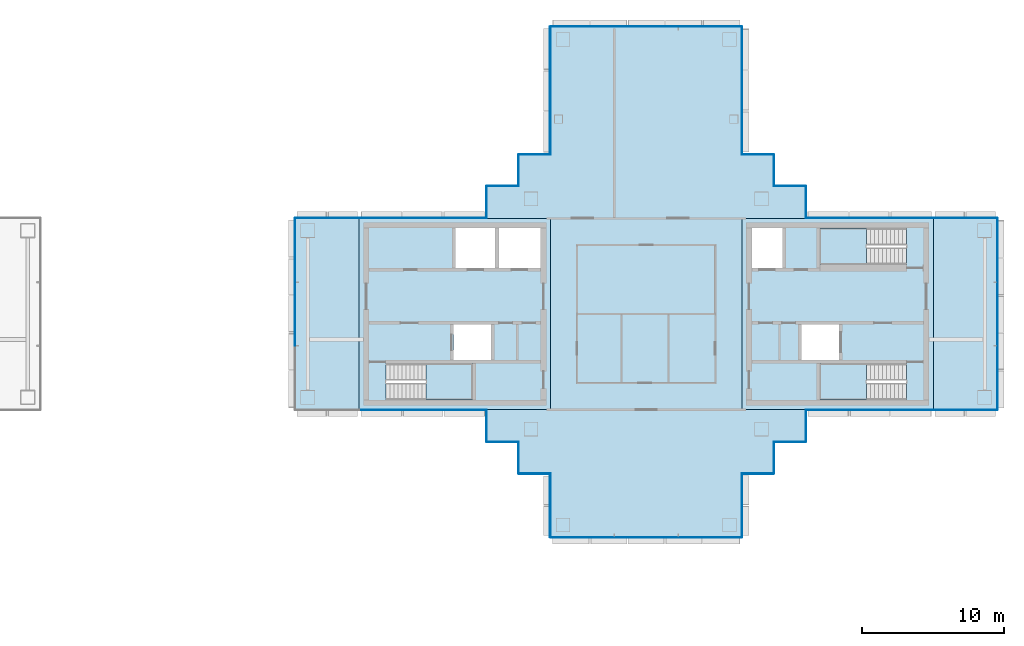
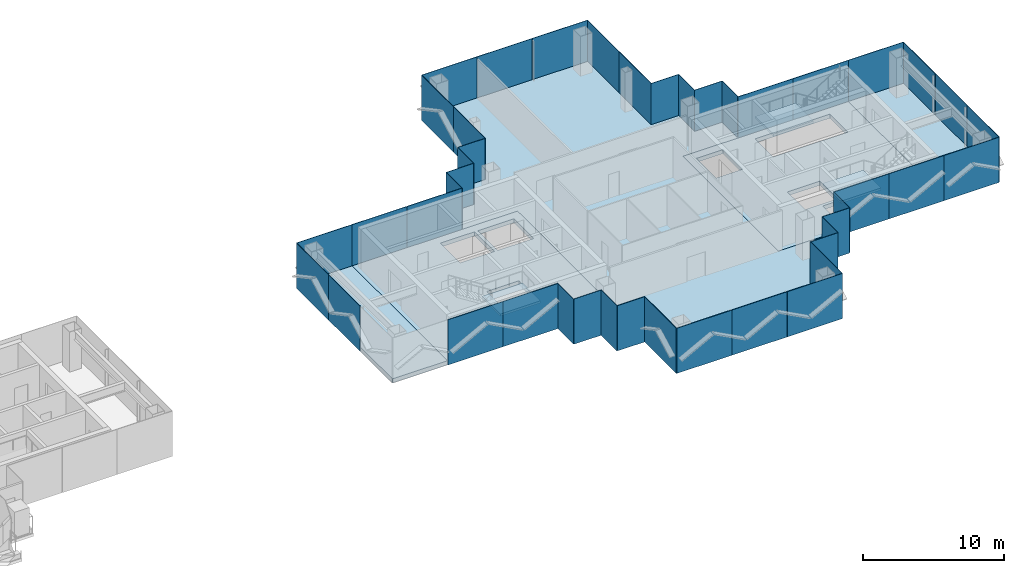
# One storey, part 8 of 17: 44 plates, 8 slabs, 22 elements without a shape of their own.
"""IFC4 building model written with IfcOpenShell, lengths in metres."""

from ifc_helpers import new_model, si_unit, direction, frame, origin, origin_2d, place, context, subcontext, project, spatial, polyline, rectangle, outline, extrude, material, layer, layer_set, type_object, element, aggregate, save


model = new_model("IFC4")

# Units and contexts
model_context = context("Model", 3, precision=1e-05, world=origin(), true_north=direction((0.0, 1.0)))
body_context = subcontext(model_context, "Body", "Model", "MODEL_VIEW")
ifc_project = project(units=[si_unit("LENGTHUNIT", "METRE"), si_unit("AREAUNIT", "SQUARE_METRE"), si_unit("VOLUMEUNIT", "CUBIC_METRE"), si_unit("PLANEANGLEUNIT", "RADIAN"), si_unit("MASSUNIT", "GRAM", prefix="KILO")], contexts=[model_context])

# Site, building, storey
site_placement = place(None, origin())
site = spatial("IfcSite", under=ifc_project, at=site_placement, CompositionType="ELEMENT")
building_placement = place(site_placement, origin())
building = spatial("IfcBuilding", under=site, at=building_placement, Name="Shamsa Quay Exchange Towers", CompositionType="ELEMENT")
storey_placement = place(building_placement, frame((0.0, 0.0, 221.699951171875)))
storey = spatial("IfcBuildingStorey", under=building, at=storey_placement, Name="L53", CompositionType="ELEMENT", Elevation=221.699951171875)

# Slabs
ifc_material_1 = material(Name="Concrete C50/60", Category="concrete")
ifc_layer_1 = layer(ifc_material_1, 0.35009765625)
ifc_layer_set_1 = layer_set([ifc_layer_1], Name="CORE FLOOR 350 C50/60")
slab_type_1 = type_object("IfcSlabType", Name="CORE FLOOR 350 C50/60", PredefinedType="FLOOR", material=ifc_layer_set_1)
slab_1_placement = place(storey_placement, frame((0.0, 0.0, -0.349853515625)))
element("IfcSlab", 1, at=slab_1_placement, inside=storey, type_object=slab_type_1, Name="Core floor T2A", PredefinedType="FLOOR", context=body_context, shape_type="SweptSolid", body=[
    extrude(outline(polyline([(13.5, -6.75), (27.0, -6.75), (27.0, 6.75), (13.5, 6.75), (13.5, -6.75)]), holes=[polyline([(15.400634765625, -6.050048828125), (15.400634765625, -3.5), (21.5, -3.5), (21.5, -6.050048828125), (15.400634765625, -6.050048828125)]), polyline([(20.300048828125, 3.25), (20.300048828125, 6.050048828125), (23.10009765625, 6.050048828125), (23.10009765625, 3.25), (20.300048828125, 3.25)]), polyline([(23.35009765625, 3.25), (23.35009765625, 6.050048828125), (26.300048828125, 6.050048828125), (26.300048828125, 3.25), (23.35009765625, 3.25)]), polyline([(20.14990234375, -3.25), (20.14990234375, -0.75), (22.800048828125, -0.75), (22.800048828125, -3.25), (20.14990234375, -3.25)])]), origin(), (0.0, 0.0, 1.0), 0.349853515625),
])
slab_2_placement = place(storey_placement, frame((0.0, 0.0, -0.349853515625)))
element("IfcSlab", 2, at=slab_2_placement, inside=storey, type_object=slab_type_1, Name="Core floor T2B", PredefinedType="FLOOR", context=body_context, shape_type="SweptSolid", body=[
    extrude(outline(polyline([(54.0, -6.75), (54.0, 6.75), (40.5, 6.75), (40.5, -6.75), (54.0, -6.75)]), holes=[polyline([(52.099365234375, -3.5), (52.099365234375, -6.050048828125), (46.0, -6.050048828125), (46.0, -3.5), (52.099365234375, -3.5)]), polyline([(52.099365234375, 6.050048828125), (52.099365234375, 3.5), (46.0, 3.5), (46.0, 6.050048828125), (52.099365234375, 6.050048828125)]), polyline([(43.35009765625, 3.25), (41.199951171875, 3.25), (41.199951171875, 6.050048828125), (43.35009765625, 6.050048828125), (43.35009765625, 3.25)]), polyline([(47.35009765625, -3.25), (44.699951171875, -3.25), (44.699951171875, -0.75), (47.35009765625, -0.75), (47.35009765625, -3.25)])]), origin(), (0.0, 0.0, 1.0), 0.349853515625),
])

# Stair, slab
ifc_material_2 = material(Name="Concrete C40/50", Category="concrete")
stair_type = type_object("IfcStairType", Name="EXIT STAIR 22 RISERS 177 MM", PredefinedType="HALF_TURN_STAIR", material=ifc_material_2)
stair_1_placement = place(storey_placement, origin())
stair_1 = element("IfcStair", 3, at=stair_1_placement, inside=storey, type_object=stair_type, Name="L53 Exit stair ST4", PredefinedType="HALF_TURN_STAIR")
ifc_layer_2 = layer(ifc_material_2, 0.199951171875)
ifc_layer_set_2 = layer_set([ifc_layer_2], Name="CORE STAIR LANDING")
slab_type_2 = type_object("IfcSlabType", Name="CORE STAIR LANDING", PredefinedType="LANDING", material=ifc_layer_set_2)
slab_3_placement = place(storey_placement, frame((0.0, 0.0, 1.75)))
slab_3 = element("IfcSlab", 4, at=slab_3_placement, type_object=slab_type_2, Name="ST4 landing 1", PredefinedType="LANDING", context=body_context, shape_type="SweptSolid", body=[
    extrude(outline(polyline([(18.199951171875, -6.050048828125), (21.5, -6.050048828125), (21.5, -3.5), (18.199951171875, -3.5), (18.199951171875, -6.050048828125)])), origin(), (0.0, 0.0, 1.0), 0.199951171875),
])
aggregate(stair_1, [slab_3])

stair_2_placement = place(storey_placement, origin())
stair_2 = element("IfcStair", 5, at=stair_2_placement, inside=storey, type_object=stair_type, Name="L53 Exit stair ST5", PredefinedType="HALF_TURN_STAIR")
slab_4_placement = place(storey_placement, frame((0.0, 0.0, 1.75)))
slab_4 = element("IfcSlab", 6, at=slab_4_placement, type_object=slab_type_2, Name="ST5 landing 1", PredefinedType="LANDING", context=body_context, shape_type="SweptSolid", body=[
    extrude(outline(polyline([(49.300048828125, -3.5), (46.0, -3.5), (46.0, -6.050048828125), (49.300048828125, -6.050048828125), (49.300048828125, -3.5)])), origin(), (0.0, 0.0, 1.0), 0.199951171875),
])
aggregate(stair_2, [slab_4])

stair_3_placement = place(storey_placement, origin())
stair_3 = element("IfcStair", 7, at=stair_3_placement, inside=storey, type_object=stair_type, Name="L53 Exit stair ST6", PredefinedType="HALF_TURN_STAIR")
slab_5_placement = place(storey_placement, frame((0.0, 0.0, 1.75)))
slab_5 = element("IfcSlab", 8, at=slab_5_placement, type_object=slab_type_2, Name="ST6 landing 1", PredefinedType="LANDING", context=body_context, shape_type="SweptSolid", body=[
    extrude(outline(polyline([(49.300048828125, 6.050048828125), (46.0, 6.050048828125), (46.0, 3.5), (49.300048828125, 3.5), (49.300048828125, 6.050048828125)])), origin(), (0.0, 0.0, 1.0), 0.199951171875),
])
aggregate(stair_3, [slab_5])

# Curtain wall, plate
ifc_material_3 = material(Name="Aluminium EN AW-6063 T6, black anodised", Category="aluminium")
ifc_layer_3 = layer(ifc_material_3, 0.280029296875)
ifc_layer_set_3 = layer_set([ifc_layer_3], Name="CW-1 UNITISED VISION GLASS")
curtain_wall_type_1 = type_object("IfcCurtainWallType", Name="CW-1 UNITISED VISION GLASS", PredefinedType="NOTDEFINED", material=ifc_layer_set_3)
curtain_wall_1_placement = place(storey_placement, origin())
curtain_wall_1 = element("IfcCurtainWall", 9, at=curtain_wall_1_placement, inside=storey, type_object=curtain_wall_type_1, Name="CW1 T2-FLK-V-W L53", PredefinedType="NOTDEFINED")
ifc_material_4 = material(Name="Glass, laminated, dark tinted", Category="glass")
ifc_layer_4 = layer(ifc_material_4, 0.0400390625)
ifc_layer_set_4 = layer_set([ifc_layer_4], Name="CW-1 VISION GLASS 40")
plate_type_1 = type_object("IfcPlateType", Name="CW-1 VISION GLASS 40", PredefinedType="CURTAIN_PANEL", material=ifc_layer_set_4)
plate_1_placement = place(storey_placement, frame((56.25, -6.77001953125, -0.349853515625)))
plate_1 = element("IfcPlate", 10, at=plate_1_placement, type_object=plate_type_1, Name="CW1 glass panel", PredefinedType="CURTAIN_PANEL", context=body_context, shape_type="SweptSolid", body=[
    extrude(rectangle(XDim=4.5, YDim=0.0400390625, at=origin_2d()), origin(), (0.0, 0.0, 1.0), 3.89990234375),
])
aggregate(curtain_wall_1, [plate_1])

# Curtain wall, plates
curtain_wall_2_placement = place(storey_placement, origin())
curtain_wall_2 = element("IfcCurtainWall", 11, at=curtain_wall_2_placement, inside=storey, type_object=curtain_wall_type_1, Name="CW1 T2-END-V- L53", PredefinedType="NOTDEFINED")
plate_2_placement = place(storey_placement, frame((58.52001953125, -4.50244140625, -0.349853515625), z_axis=(0.0, 0.0, 1.0), x_axis=(0.0, 1.0, 0.0)))
plate_2 = element("IfcPlate", 12, at=plate_2_placement, type_object=plate_type_1, Name="CW1 glass panel", PredefinedType="CURTAIN_PANEL", context=body_context, shape_type="SweptSolid", body=[
    extrude(rectangle(XDim=4.4951171875, YDim=0.0400390625, at=origin_2d()), origin(), (0.0, 0.0, 1.0), 3.89990234375),
])
plate_3_placement = place(storey_placement, frame((58.52001953125, 0.0, -0.349853515625), z_axis=(0.0, 0.0, 1.0), x_axis=(0.0, 1.0, 0.0)))
plate_3 = element("IfcPlate", 13, at=plate_3_placement, type_object=plate_type_1, Name="CW1 glass panel", PredefinedType="CURTAIN_PANEL", context=body_context, shape_type="SweptSolid", body=[
    extrude(rectangle(XDim=4.489990234375, YDim=0.0400390625, at=origin_2d()), origin(), (0.0, 0.0, 1.0), 3.89990234375),
])
plate_4_placement = place(storey_placement, frame((58.52001953125, 4.50244140625, -0.349853515625), z_axis=(0.0, 0.0, 1.0), x_axis=(0.0, 1.0, 0.0)))
plate_4 = element("IfcPlate", 14, at=plate_4_placement, type_object=plate_type_1, Name="CW1 glass panel", PredefinedType="CURTAIN_PANEL", context=body_context, shape_type="SweptSolid", body=[
    extrude(rectangle(XDim=4.4951171875, YDim=0.0400390625, at=origin_2d()), origin(), (0.0, 0.0, 1.0), 3.89990234375),
])
aggregate(curtain_wall_2, [plate_2, plate_3, plate_4])

# Curtain wall, plate
curtain_wall_3_placement = place(storey_placement, origin())
curtain_wall_3 = element("IfcCurtainWall", 15, at=curtain_wall_3_placement, inside=storey, type_object=curtain_wall_type_1, Name="CW1 T2-FLK-V-E L53", PredefinedType="NOTDEFINED")
plate_5_placement = place(storey_placement, frame((56.25, 6.77001953125, -0.349853515625), z_axis=(0.0, 0.0, 1.0), x_axis=(-1.0, 0.0, 0.0)))
plate_5 = element("IfcPlate", 16, at=plate_5_placement, type_object=plate_type_1, Name="CW1 glass panel", PredefinedType="CURTAIN_PANEL", context=body_context, shape_type="SweptSolid", body=[
    extrude(rectangle(XDim=4.5, YDim=0.0400390625, at=origin_2d()), origin(), (0.0, 0.0, 1.0), 3.89990234375),
])
aggregate(curtain_wall_3, [plate_5])

# Curtain wall, plates
curtain_wall_4_placement = place(storey_placement, origin())
curtain_wall_4 = element("IfcCurtainWall", 17, at=curtain_wall_4_placement, inside=storey, type_object=curtain_wall_type_1, Name="CW1 T2-FLK-U+S L53", PredefinedType="NOTDEFINED")
plate_6_placement = place(storey_placement, frame((40.52001953125, 13.52587890625, -0.349853515625), z_axis=(0.0, 0.0, 1.0), x_axis=(0.0, 1.0, 0.0)))
plate_6 = element("IfcPlate", 18, at=plate_6_placement, type_object=plate_type_1, Name="CW1 glass panel", PredefinedType="CURTAIN_PANEL", context=body_context, shape_type="SweptSolid", body=[
    extrude(rectangle(XDim=4.47607421875, YDim=0.0400390625, at=origin_2d()), origin(), (0.0, 0.0, 1.0), 3.89990234375),
])
plate_7_placement = place(storey_placement, frame((40.52001953125, 18.011962890625, -0.349853515625), z_axis=(0.0, 0.0, 1.0), x_axis=(0.0, 1.0, 0.0)))
plate_7 = element("IfcPlate", 19, at=plate_7_placement, type_object=plate_type_1, Name="CW1 glass panel", PredefinedType="CURTAIN_PANEL", context=body_context, shape_type="SweptSolid", body=[
    extrude(rectangle(XDim=4.47607421875, YDim=0.0400390625, at=origin_2d()), origin(), (0.0, 0.0, 1.0), 3.89990234375),
])
aggregate(curtain_wall_4, [plate_6, plate_7])

curtain_wall_5_placement = place(storey_placement, origin())
curtain_wall_5 = element("IfcCurtainWall", 20, at=curtain_wall_5_placement, inside=storey, type_object=curtain_wall_type_1, Name="CW1 T2-END-U+ L53", PredefinedType="NOTDEFINED")
plate_8_placement = place(storey_placement, frame((38.25244140625, 20.27001953125, -0.349853515625), z_axis=(0.0, 0.0, 1.0), x_axis=(-1.0, 0.0, 0.0)))
plate_8 = element("IfcPlate", 21, at=plate_8_placement, type_object=plate_type_1, Name="CW1 glass panel", PredefinedType="CURTAIN_PANEL", context=body_context, shape_type="SweptSolid", body=[
    extrude(rectangle(XDim=4.4951171875, YDim=0.0400390625, at=origin_2d()), origin(), (0.0, 0.0, 1.0), 3.89990234375),
])
plate_9_placement = place(storey_placement, frame((33.75, 20.27001953125, -0.349853515625), z_axis=(0.0, 0.0, 1.0), x_axis=(-1.0, 0.0, 0.0)))
plate_9 = element("IfcPlate", 22, at=plate_9_placement, type_object=plate_type_1, Name="CW1 glass panel", PredefinedType="CURTAIN_PANEL", context=body_context, shape_type="SweptSolid", body=[
    extrude(rectangle(XDim=4.489990234375, YDim=0.0400390625, at=origin_2d()), origin(), (0.0, 0.0, 1.0), 3.89990234375),
])
plate_10_placement = place(storey_placement, frame((29.24755859375, 20.27001953125, -0.349853515625), z_axis=(0.0, 0.0, 1.0), x_axis=(-1.0, 0.0, 0.0)))
plate_10 = element("IfcPlate", 23, at=plate_10_placement, type_object=plate_type_1, Name="CW1 glass panel", PredefinedType="CURTAIN_PANEL", context=body_context, shape_type="SweptSolid", body=[
    extrude(rectangle(XDim=4.4951171875, YDim=0.0400390625, at=origin_2d()), origin(), (0.0, 0.0, 1.0), 3.89990234375),
])
aggregate(curtain_wall_5, [plate_8, plate_9, plate_10])

curtain_wall_6_placement = place(storey_placement, origin())
curtain_wall_6 = element("IfcCurtainWall", 24, at=curtain_wall_6_placement, inside=storey, type_object=curtain_wall_type_1, Name="CW1 T2-FLK-U+N L53", PredefinedType="NOTDEFINED")
plate_11_placement = place(storey_placement, frame((26.97998046875, 18.00244140625, -0.349853515625), z_axis=(0.0, 0.0, 1.0), x_axis=(0.0, -1.0, 0.0)))
plate_11 = element("IfcPlate", 25, at=plate_11_placement, type_object=plate_type_1, Name="CW1 glass panel", PredefinedType="CURTAIN_PANEL", context=body_context, shape_type="SweptSolid", body=[
    extrude(rectangle(XDim=4.4951171875, YDim=0.0400390625, at=origin_2d()), origin(), (0.0, 0.0, 1.0), 3.89990234375),
])
plate_12_placement = place(storey_placement, frame((26.97998046875, 13.49755859375, -0.349853515625), z_axis=(0.0, 0.0, 1.0), x_axis=(0.0, -1.0, 0.0)))
plate_12 = element("IfcPlate", 26, at=plate_12_placement, type_object=plate_type_1, Name="CW1 glass panel", PredefinedType="CURTAIN_PANEL", context=body_context, shape_type="SweptSolid", body=[
    extrude(rectangle(XDim=4.4951171875, YDim=0.0400390625, at=origin_2d()), origin(), (0.0, 0.0, 1.0), 3.89990234375),
])
aggregate(curtain_wall_6, [plate_11, plate_12])

# Curtain wall, plate
curtain_wall_7_placement = place(storey_placement, origin())
curtain_wall_7 = element("IfcCurtainWall", 27, at=curtain_wall_7_placement, inside=storey, type_object=curtain_wall_type_1, Name="CW1 T2-FLK-V+E L53", PredefinedType="NOTDEFINED")
plate_13_placement = place(storey_placement, frame((11.25, 6.77001953125, -0.349853515625), z_axis=(0.0, 0.0, 1.0), x_axis=(-1.0, 0.0, 0.0)))
plate_13 = element("IfcPlate", 28, at=plate_13_placement, type_object=plate_type_1, Name="CW1 glass panel", PredefinedType="CURTAIN_PANEL", context=body_context, shape_type="SweptSolid", body=[
    extrude(rectangle(XDim=4.5, YDim=0.0400390625, at=origin_2d()), origin(), (0.0, 0.0, 1.0), 3.89990234375),
])
aggregate(curtain_wall_7, [plate_13])

# Curtain wall, plates
curtain_wall_8_placement = place(storey_placement, origin())
curtain_wall_8 = element("IfcCurtainWall", 29, at=curtain_wall_8_placement, inside=storey, type_object=curtain_wall_type_1, Name="CW1 T2-END-V+ L53", PredefinedType="NOTDEFINED")
plate_14_placement = place(storey_placement, frame((8.97998046875, 4.50244140625, -0.349853515625), z_axis=(0.0, 0.0, 1.0), x_axis=(0.0, -1.0, 0.0)))
plate_14 = element("IfcPlate", 30, at=plate_14_placement, type_object=plate_type_1, Name="CW1 glass panel", PredefinedType="CURTAIN_PANEL", context=body_context, shape_type="SweptSolid", body=[
    extrude(rectangle(XDim=4.4951171875, YDim=0.0400390625, at=origin_2d()), origin(), (0.0, 0.0, 1.0), 3.89990234375),
])
plate_15_placement = place(storey_placement, frame((8.97998046875, 0.0, -0.349853515625), z_axis=(0.0, 0.0, 1.0), x_axis=(0.0, -1.0, 0.0)))
plate_15 = element("IfcPlate", 31, at=plate_15_placement, type_object=plate_type_1, Name="CW1 glass panel", PredefinedType="CURTAIN_PANEL", context=body_context, shape_type="SweptSolid", body=[
    extrude(rectangle(XDim=4.489990234375, YDim=0.0400390625, at=origin_2d()), origin(), (0.0, 0.0, 1.0), 3.89990234375),
])
aggregate(curtain_wall_8, [plate_14, plate_15])

# Curtain wall, plate
curtain_wall_9_placement = place(storey_placement, origin())
curtain_wall_9 = element("IfcCurtainWall", 32, at=curtain_wall_9_placement, inside=storey, type_object=curtain_wall_type_1, Name="CW1 T2-FLK-U-N L53", PredefinedType="NOTDEFINED")
plate_16_placement = place(storey_placement, frame((26.97998046875, -13.51904296875, -0.349853515625), z_axis=(0.0, 0.0, 1.0), x_axis=(0.0, -1.0, 0.0)))
plate_16 = element("IfcPlate", 33, at=plate_16_placement, type_object=plate_type_1, Name="CW1 glass panel", PredefinedType="CURTAIN_PANEL", context=body_context, shape_type="SweptSolid", body=[
    extrude(rectangle(XDim=4.4619140625, YDim=0.0400390625, at=origin_2d()), origin(), (0.0, 0.0, 1.0), 3.89990234375),
])
aggregate(curtain_wall_9, [plate_16])

# Curtain wall, plates
curtain_wall_10_placement = place(storey_placement, origin())
curtain_wall_10 = element("IfcCurtainWall", 34, at=curtain_wall_10_placement, inside=storey, type_object=curtain_wall_type_1, Name="CW1 T2-END-U- L53", PredefinedType="NOTDEFINED")
plate_17_placement = place(storey_placement, frame((29.24755859375, -15.77001953125, -0.349853515625)))
plate_17 = element("IfcPlate", 35, at=plate_17_placement, type_object=plate_type_1, Name="CW1 glass panel", PredefinedType="CURTAIN_PANEL", context=body_context, shape_type="SweptSolid", body=[
    extrude(rectangle(XDim=4.4951171875, YDim=0.0400390625, at=origin_2d()), origin(), (0.0, 0.0, 1.0), 3.89990234375),
])
plate_18_placement = place(storey_placement, frame((33.75, -15.77001953125, -0.349853515625)))
plate_18 = element("IfcPlate", 36, at=plate_18_placement, type_object=plate_type_1, Name="CW1 glass panel", PredefinedType="CURTAIN_PANEL", context=body_context, shape_type="SweptSolid", body=[
    extrude(rectangle(XDim=4.489990234375, YDim=0.0400390625, at=origin_2d()), origin(), (0.0, 0.0, 1.0), 3.89990234375),
])
plate_19_placement = place(storey_placement, frame((38.25244140625, -15.77001953125, -0.349853515625)))
plate_19 = element("IfcPlate", 37, at=plate_19_placement, type_object=plate_type_1, Name="CW1 glass panel", PredefinedType="CURTAIN_PANEL", context=body_context, shape_type="SweptSolid", body=[
    extrude(rectangle(XDim=4.4951171875, YDim=0.0400390625, at=origin_2d()), origin(), (0.0, 0.0, 1.0), 3.89990234375),
])
aggregate(curtain_wall_10, [plate_17, plate_18, plate_19])

# Curtain wall, plate
curtain_wall_11_placement = place(storey_placement, origin())
curtain_wall_11 = element("IfcCurtainWall", 38, at=curtain_wall_11_placement, inside=storey, type_object=curtain_wall_type_1, Name="CW1 T2-FLK-U-S L53", PredefinedType="NOTDEFINED")
plate_20_placement = place(storey_placement, frame((40.52001953125, -13.5, -0.349853515625), z_axis=(0.0, 0.0, 1.0), x_axis=(0.0, 1.0, 0.0)))
plate_20 = element("IfcPlate", 39, at=plate_20_placement, type_object=plate_type_1, Name="CW1 glass panel", PredefinedType="CURTAIN_PANEL", context=body_context, shape_type="SweptSolid", body=[
    extrude(rectangle(XDim=4.5, YDim=0.0400390625, at=origin_2d()), origin(), (0.0, 0.0, 1.0), 3.89990234375),
])
aggregate(curtain_wall_11, [plate_20])

# Curtain wall, plates
ifc_layer_5 = layer(ifc_material_3, 0.303955078125)
ifc_layer_set_5 = layer_set([ifc_layer_5], Name="CW-2 UNITISED OPAQUE SPANDREL GLASS")
curtain_wall_type_2 = type_object("IfcCurtainWallType", Name="CW-2 UNITISED OPAQUE SPANDREL GLASS", PredefinedType="NOTDEFINED", material=ifc_layer_set_5)
curtain_wall_12_placement = place(storey_placement, origin())
curtain_wall_12 = element("IfcCurtainWall", 40, at=curtain_wall_12_placement, inside=storey, type_object=curtain_wall_type_2, Name="CW2 T2-FLK-V-W L53", PredefinedType="NOTDEFINED")
ifc_material_5 = material(Name="Glass, laminated, black enamelled opaque", Category="glass")
ifc_layer_6 = layer(ifc_material_5, 0.0439453125)
ifc_layer_set_6 = layer_set([ifc_layer_6], Name="CW-2 SPANDREL GLASS 44")
plate_type_2 = type_object("IfcPlateType", Name="CW-2 SPANDREL GLASS 44", PredefinedType="CURTAIN_PANEL", material=ifc_layer_set_6)
plate_21_placement = place(storey_placement, frame((47.27587890625, -6.77197265625, -0.349853515625)))
plate_21 = element("IfcPlate", 41, at=plate_21_placement, type_object=plate_type_2, Name="CW2 glass panel", PredefinedType="CURTAIN_PANEL", context=body_context, shape_type="SweptSolid", body=[
    extrude(rectangle(XDim=4.47607421875, YDim=0.0439453125, at=origin_2d()), origin(), (0.0, 0.0, 1.0), 3.89990234375),
])
plate_22_placement = place(storey_placement, frame((51.761962890625, -6.77197265625, -0.349853515625)))
plate_22 = element("IfcPlate", 42, at=plate_22_placement, type_object=plate_type_2, Name="CW2 glass panel", PredefinedType="CURTAIN_PANEL", context=body_context, shape_type="SweptSolid", body=[
    extrude(rectangle(XDim=4.47607421875, YDim=0.0439453125, at=origin_2d()), origin(), (0.0, 0.0, 1.0), 3.89990234375),
])
aggregate(curtain_wall_12, [plate_21, plate_22])

curtain_wall_13_placement = place(storey_placement, origin())
curtain_wall_13 = element("IfcCurtainWall", 43, at=curtain_wall_13_placement, inside=storey, type_object=curtain_wall_type_2, Name="CW2 T2-FLK-V-E L53", PredefinedType="NOTDEFINED")
plate_23_placement = place(storey_placement, frame((51.75244140625, 6.77197265625, -0.349853515625), z_axis=(0.0, 0.0, 1.0), x_axis=(-1.0, 0.0, 0.0)))
plate_23 = element("IfcPlate", 44, at=plate_23_placement, type_object=plate_type_2, Name="CW2 glass panel", PredefinedType="CURTAIN_PANEL", context=body_context, shape_type="SweptSolid", body=[
    extrude(rectangle(XDim=4.4951171875, YDim=0.0439453125, at=origin_2d()), origin(), (0.0, 0.0, 1.0), 3.89990234375),
])
plate_24_placement = place(storey_placement, frame((47.24755859375, 6.77197265625, -0.349853515625), z_axis=(0.0, 0.0, 1.0), x_axis=(-1.0, 0.0, 0.0)))
plate_24 = element("IfcPlate", 45, at=plate_24_placement, type_object=plate_type_2, Name="CW2 glass panel", PredefinedType="CURTAIN_PANEL", context=body_context, shape_type="SweptSolid", body=[
    extrude(rectangle(XDim=4.4951171875, YDim=0.0439453125, at=origin_2d()), origin(), (0.0, 0.0, 1.0), 3.89990234375),
])
aggregate(curtain_wall_13, [plate_23, plate_24])

curtain_wall_14_placement = place(storey_placement, origin())
curtain_wall_14 = element("IfcCurtainWall", 46, at=curtain_wall_14_placement, inside=storey, type_object=curtain_wall_type_2, Name="CW2 T2-FLK-V+E L53", PredefinedType="NOTDEFINED")
plate_25_placement = place(storey_placement, frame((20.22412109375, 6.77197265625, -0.349853515625), z_axis=(0.0, 0.0, 1.0), x_axis=(-1.0, 0.0, 0.0)))
plate_25 = element("IfcPlate", 47, at=plate_25_placement, type_object=plate_type_2, Name="CW2 glass panel", PredefinedType="CURTAIN_PANEL", context=body_context, shape_type="SweptSolid", body=[
    extrude(rectangle(XDim=4.47607421875, YDim=0.0439453125, at=origin_2d()), origin(), (0.0, 0.0, 1.0), 3.89990234375),
])
plate_26_placement = place(storey_placement, frame((15.738037109375, 6.77197265625, -0.349853515625), z_axis=(0.0, 0.0, 1.0), x_axis=(-1.0, 0.0, 0.0)))
plate_26 = element("IfcPlate", 48, at=plate_26_placement, type_object=plate_type_2, Name="CW2 glass panel", PredefinedType="CURTAIN_PANEL", context=body_context, shape_type="SweptSolid", body=[
    extrude(rectangle(XDim=4.47607421875, YDim=0.0439453125, at=origin_2d()), origin(), (0.0, 0.0, 1.0), 3.89990234375),
])
aggregate(curtain_wall_14, [plate_25, plate_26])

curtain_wall_15_placement = place(storey_placement, origin())
curtain_wall_15 = element("IfcCurtainWall", 49, at=curtain_wall_15_placement, inside=storey, type_object=curtain_wall_type_2, Name="CW2 T2-FLK-V+W L53", PredefinedType="NOTDEFINED")
plate_27_placement = place(storey_placement, frame((15.74755859375, -6.77197265625, -0.349853515625)))
plate_27 = element("IfcPlate", 50, at=plate_27_placement, type_object=plate_type_2, Name="CW2 glass panel", PredefinedType="CURTAIN_PANEL", context=body_context, shape_type="SweptSolid", body=[
    extrude(rectangle(XDim=4.4951171875, YDim=0.0439453125, at=origin_2d()), origin(), (0.0, 0.0, 1.0), 3.89990234375),
])
plate_28_placement = place(storey_placement, frame((20.25244140625, -6.77197265625, -0.349853515625)))
plate_28 = element("IfcPlate", 51, at=plate_28_placement, type_object=plate_type_2, Name="CW2 glass panel", PredefinedType="CURTAIN_PANEL", context=body_context, shape_type="SweptSolid", body=[
    extrude(rectangle(XDim=4.4951171875, YDim=0.0439453125, at=origin_2d()), origin(), (0.0, 0.0, 1.0), 3.89990234375),
])
aggregate(curtain_wall_15, [plate_27, plate_28])

ifc_layer_7 = layer(ifc_material_3, 0.256103515625)
ifc_layer_set_7 = layer_set([ifc_layer_7], Name="CW-4 POCKET SERRATED GLAZING")
curtain_wall_type_3 = type_object("IfcCurtainWallType", Name="CW-4 POCKET SERRATED GLAZING", PredefinedType="NOTDEFINED", material=ifc_layer_set_7)
curtain_wall_16_placement = place(storey_placement, origin())
curtain_wall_16 = element("IfcCurtainWall", 52, at=curtain_wall_16_placement, inside=storey, type_object=curtain_wall_type_3, Name="CW4 PKWS L53", PredefinedType="NOTDEFINED")
ifc_layer_8 = layer(ifc_material_4, 0.035888671875)
ifc_layer_set_8 = layer_set([ifc_layer_8], Name="CW-4 POCKET GLASS 36")
plate_type_3 = type_object("IfcPlateType", Name="CW-4 POCKET GLASS 36", PredefinedType="CURTAIN_PANEL", material=ifc_layer_set_8)
plate_29_placement = place(storey_placement, frame((43.89404296875, -9.01806640625, -0.349853515625)))
plate_29 = element("IfcPlate", 53, at=plate_29_placement, type_object=plate_type_3, Name="CW4 glass panel", PredefinedType="CURTAIN_PANEL", context=body_context, shape_type="SweptSolid", body=[
    extrude(rectangle(XDim=2.2119140625, YDim=0.035888671875, at=origin_2d()), origin(), (0.0, 0.0, 1.0), 3.89990234375),
])
plate_30_placement = place(storey_placement, frame((45.01806640625, -7.875, -0.349853515625), z_axis=(0.0, 0.0, 1.0), x_axis=(0.0, 1.0, 0.0)))
plate_30 = element("IfcPlate", 54, at=plate_30_placement, type_object=plate_type_3, Name="CW4 glass panel", PredefinedType="CURTAIN_PANEL", context=body_context, shape_type="SweptSolid", body=[
    extrude(rectangle(XDim=2.25, YDim=0.035888671875, at=origin_2d()), origin(), (0.0, 0.0, 1.0), 3.89990234375),
])
plate_31_placement = place(storey_placement, frame((41.64599609375, -11.26806640625, -0.349853515625)))
plate_31 = element("IfcPlate", 55, at=plate_31_placement, type_object=plate_type_3, Name="CW4 glass panel", PredefinedType="CURTAIN_PANEL", context=body_context, shape_type="SweptSolid", body=[
    extrude(rectangle(XDim=2.2080078125, YDim=0.035888671875, at=origin_2d()), origin(), (0.0, 0.0, 1.0), 3.89990234375),
])
plate_32_placement = place(storey_placement, frame((42.76806640625, -10.125, -0.349853515625), z_axis=(0.0, 0.0, 1.0), x_axis=(0.0, 1.0, 0.0)))
plate_32 = element("IfcPlate", 56, at=plate_32_placement, type_object=plate_type_3, Name="CW4 glass panel", PredefinedType="CURTAIN_PANEL", context=body_context, shape_type="SweptSolid", body=[
    extrude(rectangle(XDim=2.25, YDim=0.035888671875, at=origin_2d()), origin(), (0.0, 0.0, 1.0), 3.89990234375),
])
aggregate(curtain_wall_16, [plate_29, plate_30, plate_31, plate_32])

curtain_wall_17_placement = place(storey_placement, origin())
curtain_wall_17 = element("IfcCurtainWall", 57, at=curtain_wall_17_placement, inside=storey, type_object=curtain_wall_type_3, Name="CW4 PKES L53", PredefinedType="NOTDEFINED")
plate_33_placement = place(storey_placement, frame((45.01806640625, 7.89794921875, -0.349853515625), z_axis=(0.0, 0.0, 1.0), x_axis=(0.0, 1.0, 0.0)))
plate_33 = element("IfcPlate", 58, at=plate_33_placement, type_object=plate_type_3, Name="CW4 glass panel", PredefinedType="CURTAIN_PANEL", context=body_context, shape_type="SweptSolid", body=[
    extrude(rectangle(XDim=2.2041015625, YDim=0.035888671875, at=origin_2d()), origin(), (0.0, 0.0, 1.0), 3.89990234375),
])
plate_34_placement = place(storey_placement, frame((43.875, 9.01806640625, -0.349853515625), z_axis=(0.0, 0.0, 1.0), x_axis=(-1.0, 0.0, 0.0)))
plate_34 = element("IfcPlate", 59, at=plate_34_placement, type_object=plate_type_3, Name="CW4 glass panel", PredefinedType="CURTAIN_PANEL", context=body_context, shape_type="SweptSolid", body=[
    extrude(rectangle(XDim=2.25, YDim=0.035888671875, at=origin_2d()), origin(), (0.0, 0.0, 1.0), 3.89990234375),
])
plate_35_placement = place(storey_placement, frame((42.76806640625, 10.14404296875, -0.349853515625), z_axis=(0.0, 0.0, 1.0), x_axis=(0.0, 1.0, 0.0)))
plate_35 = element("IfcPlate", 60, at=plate_35_placement, type_object=plate_type_3, Name="CW4 glass panel", PredefinedType="CURTAIN_PANEL", context=body_context, shape_type="SweptSolid", body=[
    extrude(rectangle(XDim=2.2119140625, YDim=0.035888671875, at=origin_2d()), origin(), (0.0, 0.0, 1.0), 3.89990234375),
])
plate_36_placement = place(storey_placement, frame((41.625, 11.26806640625, -0.349853515625), z_axis=(0.0, 0.0, 1.0), x_axis=(-1.0, 0.0, 0.0)))
plate_36 = element("IfcPlate", 61, at=plate_36_placement, type_object=plate_type_3, Name="CW4 glass panel", PredefinedType="CURTAIN_PANEL", context=body_context, shape_type="SweptSolid", body=[
    extrude(rectangle(XDim=2.25, YDim=0.035888671875, at=origin_2d()), origin(), (0.0, 0.0, 1.0), 3.89990234375),
])
aggregate(curtain_wall_17, [plate_33, plate_34, plate_35, plate_36])

curtain_wall_18_placement = place(storey_placement, origin())
curtain_wall_18 = element("IfcCurtainWall", 62, at=curtain_wall_18_placement, inside=storey, type_object=curtain_wall_type_3, Name="CW4 PKEN L53", PredefinedType="NOTDEFINED")
plate_37_placement = place(storey_placement, frame((25.85400390625, 11.26806640625, -0.349853515625), z_axis=(0.0, 0.0, 1.0), x_axis=(-1.0, 0.0, 0.0)))
plate_37 = element("IfcPlate", 63, at=plate_37_placement, type_object=plate_type_3, Name="CW4 glass panel", PredefinedType="CURTAIN_PANEL", context=body_context, shape_type="SweptSolid", body=[
    extrude(rectangle(XDim=2.2080078125, YDim=0.035888671875, at=origin_2d()), origin(), (0.0, 0.0, 1.0), 3.89990234375),
])
plate_38_placement = place(storey_placement, frame((24.73193359375, 10.125, -0.349853515625), z_axis=(0.0, 0.0, 1.0), x_axis=(0.0, -1.0, 0.0)))
plate_38 = element("IfcPlate", 64, at=plate_38_placement, type_object=plate_type_3, Name="CW4 glass panel", PredefinedType="CURTAIN_PANEL", context=body_context, shape_type="SweptSolid", body=[
    extrude(rectangle(XDim=2.25, YDim=0.035888671875, at=origin_2d()), origin(), (0.0, 0.0, 1.0), 3.89990234375),
])
plate_39_placement = place(storey_placement, frame((23.60595703125, 9.01806640625, -0.349853515625), z_axis=(0.0, 0.0, 1.0), x_axis=(-1.0, 0.0, 0.0)))
plate_39 = element("IfcPlate", 65, at=plate_39_placement, type_object=plate_type_3, Name="CW4 glass panel", PredefinedType="CURTAIN_PANEL", context=body_context, shape_type="SweptSolid", body=[
    extrude(rectangle(XDim=2.2119140625, YDim=0.035888671875, at=origin_2d()), origin(), (0.0, 0.0, 1.0), 3.89990234375),
])
plate_40_placement = place(storey_placement, frame((22.48193359375, 7.875, -0.349853515625), z_axis=(0.0, 0.0, 1.0), x_axis=(0.0, -1.0, 0.0)))
plate_40 = element("IfcPlate", 66, at=plate_40_placement, type_object=plate_type_3, Name="CW4 glass panel", PredefinedType="CURTAIN_PANEL", context=body_context, shape_type="SweptSolid", body=[
    extrude(rectangle(XDim=2.25, YDim=0.035888671875, at=origin_2d()), origin(), (0.0, 0.0, 1.0), 3.89990234375),
])
aggregate(curtain_wall_18, [plate_37, plate_38, plate_39, plate_40])

curtain_wall_19_placement = place(storey_placement, origin())
curtain_wall_19 = element("IfcCurtainWall", 67, at=curtain_wall_19_placement, inside=storey, type_object=curtain_wall_type_3, Name="CW4 PKWN L53", PredefinedType="NOTDEFINED")
plate_41_placement = place(storey_placement, frame((22.48193359375, -7.89794921875, -0.349853515625), z_axis=(0.0, 0.0, 1.0), x_axis=(0.0, -1.0, 0.0)))
plate_41 = element("IfcPlate", 68, at=plate_41_placement, type_object=plate_type_3, Name="CW4 glass panel", PredefinedType="CURTAIN_PANEL", context=body_context, shape_type="SweptSolid", body=[
    extrude(rectangle(XDim=2.2041015625, YDim=0.035888671875, at=origin_2d()), origin(), (0.0, 0.0, 1.0), 3.89990234375),
])
plate_42_placement = place(storey_placement, frame((23.625, -9.01806640625, -0.349853515625)))
plate_42 = element("IfcPlate", 69, at=plate_42_placement, type_object=plate_type_3, Name="CW4 glass panel", PredefinedType="CURTAIN_PANEL", context=body_context, shape_type="SweptSolid", body=[
    extrude(rectangle(XDim=2.25, YDim=0.035888671875, at=origin_2d()), origin(), (0.0, 0.0, 1.0), 3.89990234375),
])
plate_43_placement = place(storey_placement, frame((24.73193359375, -10.14404296875, -0.349853515625), z_axis=(0.0, 0.0, 1.0), x_axis=(0.0, -1.0, 0.0)))
plate_43 = element("IfcPlate", 70, at=plate_43_placement, type_object=plate_type_3, Name="CW4 glass panel", PredefinedType="CURTAIN_PANEL", context=body_context, shape_type="SweptSolid", body=[
    extrude(rectangle(XDim=2.2119140625, YDim=0.035888671875, at=origin_2d()), origin(), (0.0, 0.0, 1.0), 3.89990234375),
])
plate_44_placement = place(storey_placement, frame((25.875, -11.26806640625, -0.349853515625)))
plate_44 = element("IfcPlate", 71, at=plate_44_placement, type_object=plate_type_3, Name="CW4 glass panel", PredefinedType="CURTAIN_PANEL", context=body_context, shape_type="SweptSolid", body=[
    extrude(rectangle(XDim=2.25, YDim=0.035888671875, at=origin_2d()), origin(), (0.0, 0.0, 1.0), 3.89990234375),
])
aggregate(curtain_wall_19, [plate_41, plate_42, plate_43, plate_44])

# Slabs
ifc_layer_9 = layer(ifc_material_2, 0.35009765625)
ifc_layer_set_9 = layer_set([ifc_layer_9], Name="Flat slab 350")
slab_type_3 = type_object("IfcSlabType", Name="Flat slab 350", PredefinedType="FLOOR", material=ifc_layer_set_9)
slab_6_placement = place(storey_placement, frame((0.0, 0.0, -0.349853515625)))
element("IfcSlab", 72, at=slab_6_placement, inside=storey, type_object=slab_type_3, Name="Flat slab T2 L53 4", PredefinedType="FLOOR", context=body_context, shape_type="SweptSolid", body=[
    extrude(outline(polyline([(9.0, -6.75), (13.5, -6.75), (13.5, 6.75), (9.0, 6.75), (9.0, -6.75)])), origin(), (0.0, 0.0, 1.0), 0.349853515625),
])
slab_7_placement = place(storey_placement, frame((0.0, 0.0, -0.349853515625)))
element("IfcSlab", 73, at=slab_7_placement, inside=storey, type_object=slab_type_3, Name="Flat slab T2 L53 5", PredefinedType="FLOOR", context=body_context, shape_type="SweptSolid", body=[
    extrude(outline(polyline([(45.0, -9.0), (45.0, -6.75), (40.5, -6.75), (40.5, 6.75), (45.0, 6.75), (45.0, 9.0), (42.75, 9.0), (42.75, 11.25), (40.5, 11.25), (40.5, 20.25), (27.0, 20.25), (27.0, 11.25), (24.75, 11.25), (24.75, 9.0), (22.5, 9.0), (22.5, 6.75), (27.0, 6.75), (27.0, -6.75), (22.5, -6.75), (22.5, -9.0), (24.75, -9.0), (24.75, -11.25), (27.0, -11.25), (27.0, -15.75), (40.5, -15.75), (40.5, -11.25), (42.75, -11.25), (42.75, -9.0), (45.0, -9.0)])), origin(), (0.0, 0.0, 1.0), 0.349853515625),
])
slab_8_placement = place(storey_placement, frame((0.0, 0.0, -0.349853515625)))
element("IfcSlab", 74, at=slab_8_placement, inside=storey, type_object=slab_type_3, Name="Flat slab T2 L53 6", PredefinedType="FLOOR", context=body_context, shape_type="SweptSolid", body=[
    extrude(outline(polyline([(58.5, 6.75), (54.0, 6.75), (54.0, -6.75), (58.5, -6.75), (58.5, 6.75)])), origin(), (0.0, 0.0, 1.0), 0.349853515625),
])

save(model, "model.ifc")
